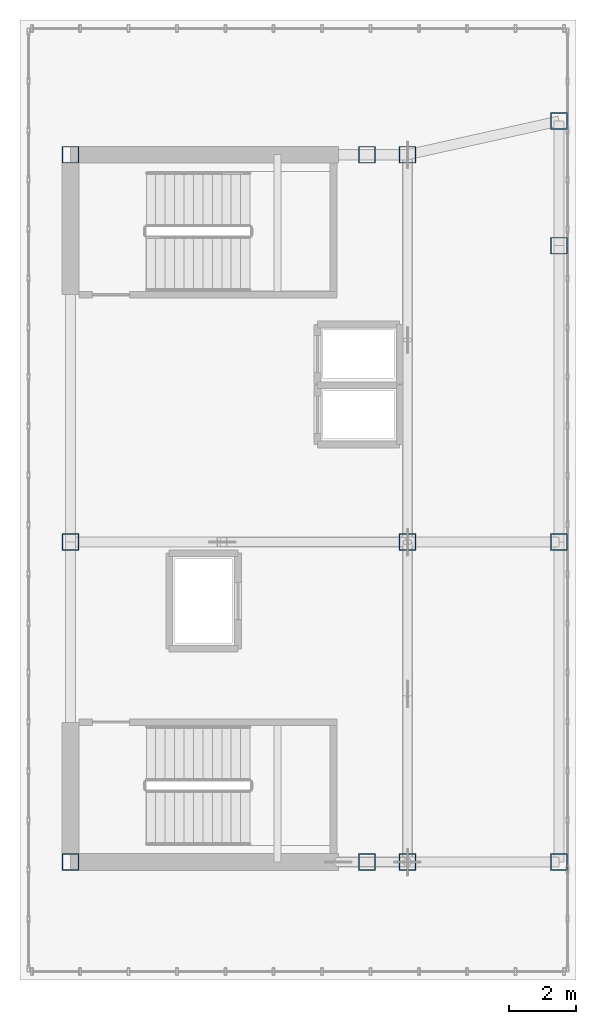
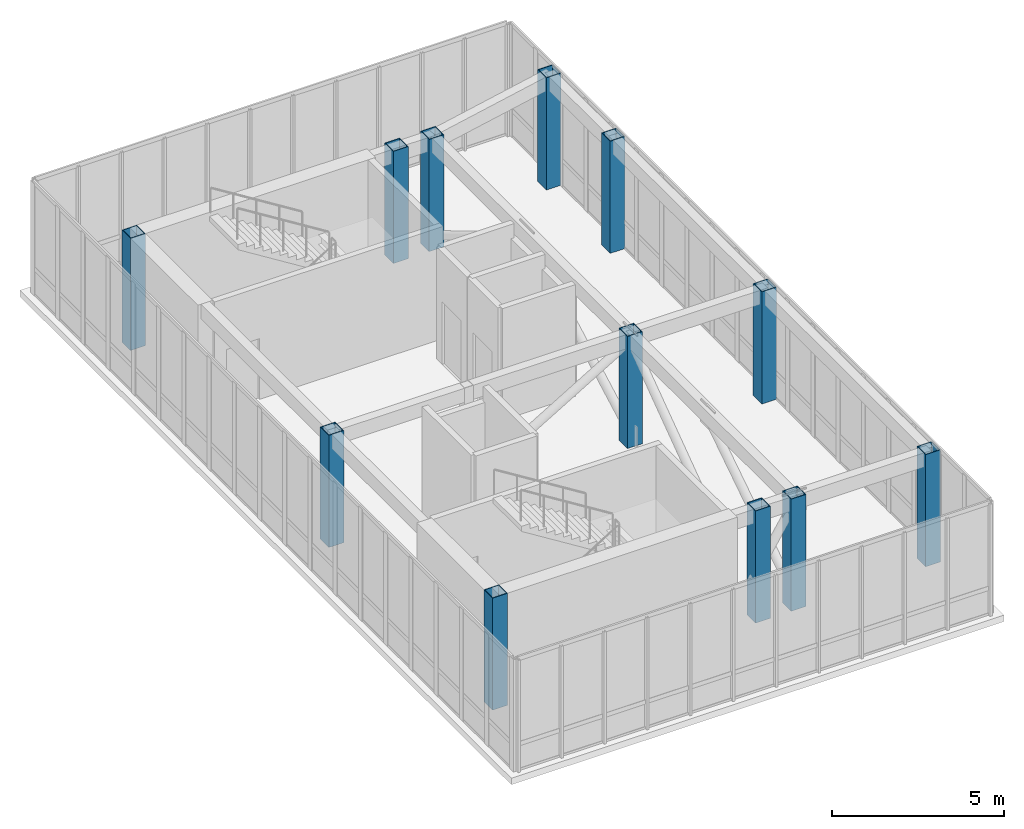
# One storey, part 1 of 13: 12 columns.
"""IFC4 building model written with IfcOpenShell, lengths in metres."""

from ifc_helpers import new_model, si_unit, direction, frame, origin, origin_2d, place, context, subcontext, project, spatial, hollow_rectangle, extrude, source, transform, mapped, material, material_profile, profile_set, type_object, element, save


model = new_model("IFC4")

# Units and contexts
model_context = context("Model", 3, precision=1e-05, world=origin(), true_north=direction((0.0, 1.0)))
body_context = subcontext(model_context, "Body", "Model", "MODEL_VIEW")
ifc_project = project(units=[si_unit("LENGTHUNIT", "METRE"), si_unit("AREAUNIT", "SQUARE_METRE"), si_unit("VOLUMEUNIT", "CUBIC_METRE"), si_unit("PLANEANGLEUNIT", "RADIAN"), si_unit("MASSUNIT", "GRAM", prefix="KILO")], contexts=[model_context])

# Site, building, storey
site_placement = place(None, origin())
site = spatial("IfcSite", under=ifc_project, at=site_placement, CompositionType="ELEMENT")
building_placement = place(site_placement, origin())
building = spatial("IfcBuilding", under=site, at=building_placement, Name="Kharzan Plaza Tower", CompositionType="ELEMENT")
storey_placement = place(building_placement, frame((0.0, 0.0, 289.800048828125)))
storey = spatial("IfcBuildingStorey", under=building, at=storey_placement, Name="L78-CROWN", CompositionType="ELEMENT", Elevation=289.800048828125)

# Columns
ifc_material = material(Name="Steel S355", Category="steel")
ifc_material_profile = material_profile(ifc_material, hollow_rectangle(XDim=0.5, YDim=0.5, WallThickness=0.02490234375, at=origin_2d()), Name="SHS500x500x25")
ifc_profile_set = profile_set([ifc_material_profile], Name="Steel S355")
column_type = type_object("IfcColumnType", Name="COL-LC500", PredefinedType="COLUMN", material=ifc_profile_set)
shared_shape = source(origin(), body_context, "Body", "SweptSolid", [
    extrude(hollow_rectangle(XDim=0.5, YDim=0.5, WallThickness=0.02490234375, at=origin_2d()), origin(), (0.0, 0.0, 1.0), 3.969970703125),
])
for number, where, z_axis, x_axis, name in (
    (1, (4.5, 8.5, 0.0), (0.0, 0.0, 1.0), (1.0, 0.0, 0.0), "L78-CROWN CROWN FRAME Lantern Column LC01"),
    (2, (13.300048828125, 8.5, 0.0), (0.0, 0.0, 1.0), (1.0, 0.0, 0.0), "L78-CROWN CROWN FRAME Lantern Column LC02"),
    (3, (14.5, 8.5, 0.0), (0.0, 0.0, 1.0), (1.0, 0.0, 0.0), "L78-CROWN CROWN FRAME Lantern Column LC03"),
    (4, (4.5, 18.0, 0.0), (0.0, 0.0, 1.0), (1.0, 0.0, 0.0), "L78-CROWN CROWN FRAME Lantern Column LC04"),
    (5, (14.5, 18.0, 0.0), (0.0, 0.0, 1.0), (1.0, 0.0, 0.0), "L78-CROWN CROWN FRAME Lantern Column LC05"),
    (6, (4.5, 29.5, 0.0), (0.0, 0.0, 1.0), (1.0, 0.0, 0.0), "L78-CROWN CROWN FRAME Lantern Column LC06"),
    (7, (13.300048828125, 29.5, 0.0), (0.0, 0.0, 1.0), (1.0, 0.0, 0.0), "L78-CROWN CROWN FRAME Lantern Column LC07"),
    (8, (14.5, 29.5, 0.0), (0.0, 0.0, 1.0), (1.0, 0.0, 0.0), "L78-CROWN CROWN FRAME Lantern Column LC08"),
    (9, (19.0, 8.5, 0.0), (0.0, 0.0, 1.0), (1.0, 0.0, 0.0), "L78-CROWN CROWN FRAME Lantern Column LC09"),
    (10, (19.0, 18.0, 0.0), (0.0, 0.0, 1.0), (1.0, 0.0, 0.0), "L78-CROWN CROWN FRAME Lantern Column LC10"),
    (11, (19.0, 26.800048828125, 0.0), (0.0, 0.0, 1.0), (1.0, 0.0, 0.0), "L78-CROWN CROWN FRAME Lantern Column LC11"),
    (12, (19.0, 30.5, 0.0), (0.0, 0.0, 1.0), (1.0, 0.0, 0.0), "L78-CROWN CROWN FRAME Lantern Column LC12"),
):
    element("IfcColumn", number, at=place(storey_placement, frame(where, z_axis=z_axis, x_axis=x_axis)), inside=storey, type_object=column_type, Name=name, PredefinedType="COLUMN", context=body_context, shape_type="MappedRepresentation", body=[
        mapped(shared_shape, transform((0.0, 0.0, 0.0), x_axis=(1.0, 0.0, 0.0), y_axis=(0.0, 1.0, 0.0), z_axis=(0.0, 0.0, 1.0))),
    ])

save(model, "model.ifc")
